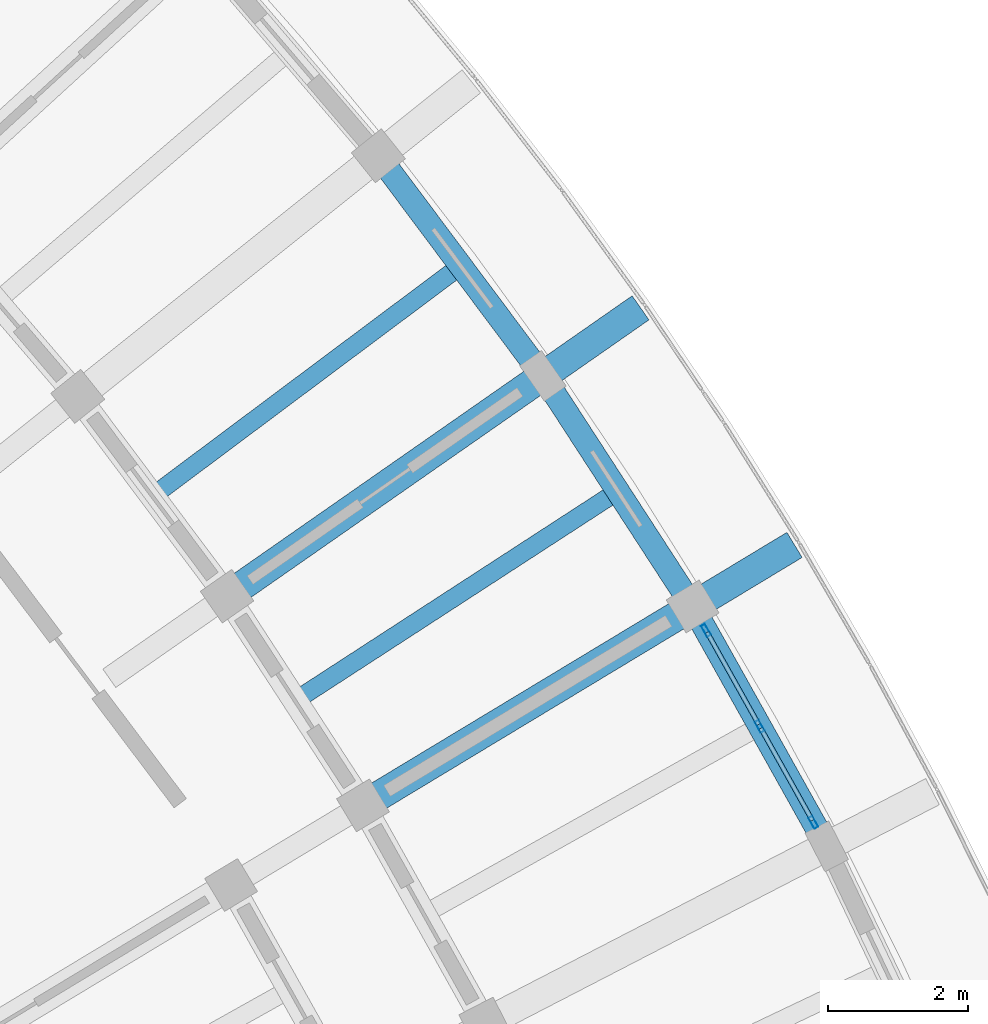
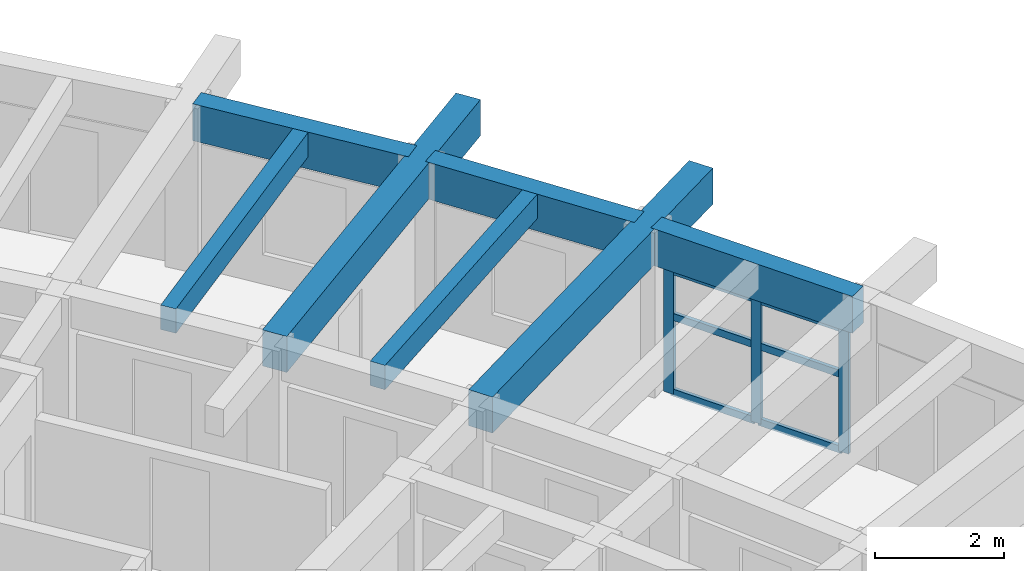
# One storey, part 25 of 78: 9 members, 7 beams, 1 element without a shape of its own.
"""IFC4 building model written with IfcOpenShell, lengths in metres."""

from ifc_helpers import new_model, si_unit, direction, frame, origin, origin_2d, place, context, subcontext, project, spatial, rectangle, hollow_rectangle, extrude, material, material_profile, profile_set, type_object, element, aggregate, save


model = new_model("IFC4")

# Units and contexts
model_context = context("Model", 3, precision=1e-05, world=origin(), true_north=direction((0.0, 1.0)))
body_context = subcontext(model_context, "Body", "Model", "MODEL_VIEW")
ifc_project = project(units=[si_unit("LENGTHUNIT", "METRE"), si_unit("AREAUNIT", "SQUARE_METRE"), si_unit("VOLUMEUNIT", "CUBIC_METRE"), si_unit("PLANEANGLEUNIT", "RADIAN"), si_unit("MASSUNIT", "GRAM", prefix="KILO")], contexts=[model_context])

# Site, building, storey
site_placement = place(None, origin())
site = spatial("IfcSite", under=ifc_project, at=site_placement, CompositionType="ELEMENT")
building_placement = place(site_placement, origin())
building = spatial("IfcBuilding", under=site, at=building_placement, Name="Tanwirah Colonnade Gardens", CompositionType="ELEMENT")
storey_placement = place(building_placement, frame((0.0, 0.0, 22.280029296875)))
storey = spatial("IfcBuildingStorey", under=building, at=storey_placement, Name="L06", CompositionType="ELEMENT", Elevation=22.280029296875)

# Beams
ifc_material_1 = material(Name="Precast concrete C45/55", Category="concrete")
ifc_material_profile_1 = material_profile(ifc_material_1, rectangle(XDim=0.419921875, YDim=0.679931640625, at=origin_2d()), Name="PC-BM 420x680")
ifc_profile_set_1 = profile_set([ifc_material_profile_1], Name="Precast concrete C45/55")
beam_type_1 = type_object("IfcBeamType", Name="BM-PC420", PredefinedType="BEAM", material=ifc_profile_set_1)
for number, where, z_axis, x_axis, name in (
    (1, (167.404296875, 88.205078125, 2.77001953125), (0.856157813984, 0.516714425533, 0.0), (-0.516714425533, 0.856157813984, 0.0), "Block B L06 Outer Radial Precast Girder 4"),
    (2, (165.458251953125, 91.20166015625, 2.77001953125), (0.820270158139, 0.571976282433, 0.0), (-0.571976282433, 0.820270158139, 0.0), "Block B L06 Outer Radial Precast Girder 5"),
):
    element("IfcBeam", number, at=place(storey_placement, frame(where, z_axis=z_axis, x_axis=x_axis)), inside=storey, type_object=beam_type_1, Name=name, PredefinedType="BEAM", context=body_context, shape_type="SweptSolid", body=[
        extrude(rectangle(XDim=0.419921875, YDim=0.679931640625, at=origin_2d()), origin(), (0.0, 0.0, 1.0), 7.050048828125),
    ])

# Curtain wall, members
ifc_material_2 = material(Name="Bronze-anodised aluminium and solar-control low-E glass", Category="aluminium")
curtain_wall_type = type_object("IfcCurtainWallType", Name="CW-LOB", PredefinedType="NOTDEFINED", material=ifc_material_2)
curtain_wall_placement = place(storey_placement, origin())
curtain_wall = element("IfcCurtainWall", 3, at=curtain_wall_placement, inside=storey, type_object=curtain_wall_type, Name="Curtain Wall CW-B-L06-OUT-03", PredefinedType="NOTDEFINED")
ifc_material_3 = material(Name="Bronze-anodised aluminium", Category="aluminium")
ifc_material_profile_2 = material_profile(ifc_material_3, hollow_rectangle(XDim=0.06494140625, YDim=0.179931640625, WallThickness=0.00390625, at=origin_2d()), Name="CW-MUL 65x180x4")
ifc_profile_set_2 = profile_set([ifc_material_profile_2], Name="Bronze-anodised aluminium")
member_type_1 = type_object("IfcMemberType", Name="CWM-65x180", PredefinedType="MULLION", material=ifc_profile_set_2)
member_1_placement = place(storey_placement, frame((173.709716796875, 87.885986328125, 0.0), z_axis=(0.0, 0.0, 1.0), x_axis=(-0.8727316783, -0.488200181987, 0.0)))
member_1 = element("IfcMember", 4, at=member_1_placement, type_object=member_type_1, Name="CW-LOB mullion 1", PredefinedType="MULLION", context=body_context, shape_type="SweptSolid", body=[
    extrude(hollow_rectangle(XDim=0.06494140625, YDim=0.179931640625, WallThickness=0.00390625, at=origin_2d()), origin(), (0.0, 0.0, 1.0), 2.35498046875),
])
member_2_placement = place(storey_placement, frame((172.943115234375, 89.25634765625, 0.0), z_axis=(0.0, 0.0, 1.0), x_axis=(-0.8727316783, -0.488200181987, 0.0)))
member_2 = element("IfcMember", 5, at=member_2_placement, type_object=member_type_1, Name="CW-LOB mullion 2", PredefinedType="MULLION", context=body_context, shape_type="SweptSolid", body=[
    extrude(hollow_rectangle(XDim=0.06494140625, YDim=0.179931640625, WallThickness=0.00390625, at=origin_2d()), origin(), (0.0, 0.0, 1.0), 2.35498046875),
])
member_3_placement = place(storey_placement, frame((172.17626953125, 90.626953125, 0.0), z_axis=(0.0, 0.0, 1.0), x_axis=(-0.8727316783, -0.488200181987, 0.0)))
member_3 = element("IfcMember", 6, at=member_3_placement, type_object=member_type_1, Name="CW-LOB mullion 3", PredefinedType="MULLION", context=body_context, shape_type="SweptSolid", body=[
    extrude(hollow_rectangle(XDim=0.06494140625, YDim=0.179931640625, WallThickness=0.00390625, at=origin_2d()), origin(), (0.0, 0.0, 1.0), 2.35498046875),
])
ifc_material_profile_3 = material_profile(ifc_material_3, hollow_rectangle(XDim=0.06494140625, YDim=0.135009765625, WallThickness=0.00390625, at=origin_2d()), Name="CW-TRN 65x135x4")
ifc_profile_set_3 = profile_set([ifc_material_profile_3], Name="Bronze-anodised aluminium")
member_type_2 = type_object("IfcMemberType", Name="CWT-65x135", PredefinedType="USERDEFINED", material=ifc_profile_set_3)
member_4_placement = place(storey_placement, frame((173.69384765625, 87.914306640625, 0.032470703125), z_axis=(-0.488188457917, 0.872738236562, 0.0), x_axis=(-0.872738236562, -0.488188457917, 0.0)))
member_4 = element("IfcMember", 7, at=member_4_placement, type_object=member_type_2, Name="CW-LOB transom 1.1", ObjectType="TRANSOM", PredefinedType="USERDEFINED", context=body_context, shape_type="SweptSolid", body=[
    extrude(hollow_rectangle(XDim=0.06494140625, YDim=0.135009765625, WallThickness=0.00390625, at=origin_2d()), origin(), (0.0, 0.0, 1.0), 1.50537109375),
])
member_5_placement = place(storey_placement, frame((173.69384765625, 87.914306640625, 1.4599609375), z_axis=(-0.488188457917, 0.872738236562, 0.0), x_axis=(-0.872738236562, -0.488188457917, 0.0)))
member_5 = element("IfcMember", 8, at=member_5_placement, type_object=member_type_2, Name="CW-LOB transom 1.2", ObjectType="TRANSOM", PredefinedType="USERDEFINED", context=body_context, shape_type="SweptSolid", body=[
    extrude(hollow_rectangle(XDim=0.06494140625, YDim=0.135009765625, WallThickness=0.00390625, at=origin_2d()), origin(), (0.0, 0.0, 1.0), 1.50537109375),
])
member_6_placement = place(storey_placement, frame((173.69384765625, 87.914306640625, 2.322509765625), z_axis=(-0.488188457917, 0.872738236562, 0.0), x_axis=(-0.872738236562, -0.488188457917, 0.0)))
member_6 = element("IfcMember", 9, at=member_6_placement, type_object=member_type_2, Name="CW-LOB transom 1.3", ObjectType="TRANSOM", PredefinedType="USERDEFINED", context=body_context, shape_type="SweptSolid", body=[
    extrude(hollow_rectangle(XDim=0.06494140625, YDim=0.135009765625, WallThickness=0.00390625, at=origin_2d()), origin(), (0.0, 0.0, 1.0), 1.50537109375),
])
member_7_placement = place(storey_placement, frame((172.92724609375, 89.28466796875, 0.032470703125), z_axis=(-0.488242877368, 0.872707793422, 0.0), x_axis=(-0.872707793422, -0.488242877368, 0.0)))
member_7 = element("IfcMember", 10, at=member_7_placement, type_object=member_type_2, Name="CW-LOB transom 2.1", ObjectType="TRANSOM", PredefinedType="USERDEFINED", context=body_context, shape_type="SweptSolid", body=[
    extrude(hollow_rectangle(XDim=0.06494140625, YDim=0.135009765625, WallThickness=0.00390625, at=origin_2d()), origin(), (0.0, 0.0, 1.0), 1.505615234375),
])
member_8_placement = place(storey_placement, frame((172.92724609375, 89.28466796875, 1.4599609375), z_axis=(-0.488242877368, 0.872707793422, 0.0), x_axis=(-0.872707793422, -0.488242877368, 0.0)))
member_8 = element("IfcMember", 11, at=member_8_placement, type_object=member_type_2, Name="CW-LOB transom 2.2", ObjectType="TRANSOM", PredefinedType="USERDEFINED", context=body_context, shape_type="SweptSolid", body=[
    extrude(hollow_rectangle(XDim=0.06494140625, YDim=0.135009765625, WallThickness=0.00390625, at=origin_2d()), origin(), (0.0, 0.0, 1.0), 1.505615234375),
])
member_9_placement = place(storey_placement, frame((172.92724609375, 89.28466796875, 2.322509765625), z_axis=(-0.488242877368, 0.872707793422, 0.0), x_axis=(-0.872707793422, -0.488242877368, 0.0)))
member_9 = element("IfcMember", 12, at=member_9_placement, type_object=member_type_2, Name="CW-LOB transom 2.3", ObjectType="TRANSOM", PredefinedType="USERDEFINED", context=body_context, shape_type="SweptSolid", body=[
    extrude(hollow_rectangle(XDim=0.06494140625, YDim=0.135009765625, WallThickness=0.00390625, at=origin_2d()), origin(), (0.0, 0.0, 1.0), 1.505615234375),
])
aggregate(curtain_wall, [member_1, member_2, member_3, member_4, member_5, member_6, member_7, member_8, member_9])

# Beams
ifc_material_4 = material(Name="Precast concrete C40/50", Category="concrete")
ifc_material_profile_4 = material_profile(ifc_material_4, rectangle(XDim=0.260009765625, YDim=0.4599609375, at=origin_2d()), Name="PC-JST 260x460")
ifc_profile_set_4 = profile_set([ifc_material_profile_4], Name="Precast concrete C40/50")
beam_type_2 = type_object("IfcBeamType", Name="JST-PC260", PredefinedType="JOIST", material=ifc_profile_set_4)
beam_1_placement = place(storey_placement, frame((166.4306640625, 89.703125, 2.8798828125), z_axis=(0.83868742622, 0.544613074669, 0.0), x_axis=(-0.544613074669, 0.83868742622, 0.0)))
element("IfcBeam", 13, at=beam_1_placement, inside=storey, type_object=beam_type_2, Name="Block B L06 Precast Floor Joist 4", PredefinedType="JOIST", context=body_context, shape_type="SweptSolid", body=[
    extrude(rectangle(XDim=0.260009765625, YDim=0.4599609375, at=origin_2d()), origin(), (0.0, 0.0, 1.0), 5.26025390625),
])
beam_2_placement = place(storey_placement, frame((164.38818359375, 92.63232421875, 2.8798828125), z_axis=(0.800973647215, 0.598699604533, 0.0), x_axis=(-0.598699604533, 0.800973647215, 0.0)))
element("IfcBeam", 14, at=beam_2_placement, inside=storey, type_object=beam_type_2, Name="Block B L06 Precast Floor Joist 5", PredefinedType="JOIST", context=body_context, shape_type="SweptSolid", body=[
    extrude(rectangle(XDim=0.260009765625, YDim=0.4599609375, at=origin_2d()), origin(), (0.0, 0.0, 1.0), 5.260009765625),
])
ifc_material_profile_5 = material_profile(ifc_material_4, rectangle(XDim=0.3349609375, YDim=0.695068359375, at=origin_2d()), Name="PC-SP 335x695")
ifc_profile_set_5 = profile_set([ifc_material_profile_5], Name="Precast concrete C40/50")
beam_type_3 = type_object("IfcBeamType", Name="SP-PC300", PredefinedType="SPANDREL", material=ifc_profile_set_5)
for number, where, z_axis, x_axis, name in (
    (15, (173.828125, 87.67431640625, 2.762451171875), (-0.488236312193, 0.872711466326, 0.0), (-0.872711466326, -0.488236312193, 0.0), "Block B L06 Circumferential Beam 3-R3"),
    (16, (171.903076171875, 91.09521484375, 2.762451171875), (-0.544621436184, 0.838681996497, 0.0), (-0.838681996497, -0.544621436184, 0.0), "Block B L06 Circumferential Beam 4-R3"),
    (17, (169.7568359375, 94.382080078125, 2.762451171875), (-0.598695554058, 0.800976674786, 0.0), (-0.800976674786, -0.598695554058, 0.0), "Block B L06 Circumferential Beam 5-R3"),
):
    element("IfcBeam", number, at=place(storey_placement, frame(where, z_axis=z_axis, x_axis=x_axis)), inside=storey, type_object=beam_type_3, Name=name, PredefinedType="SPANDREL", context=body_context, shape_type="SweptSolid", body=[
        extrude(rectangle(XDim=0.3349609375, YDim=0.695068359375, at=origin_2d()), origin(), (0.0, 0.0, 1.0), 3.625732421875),
    ])

save(model, "model.ifc")
